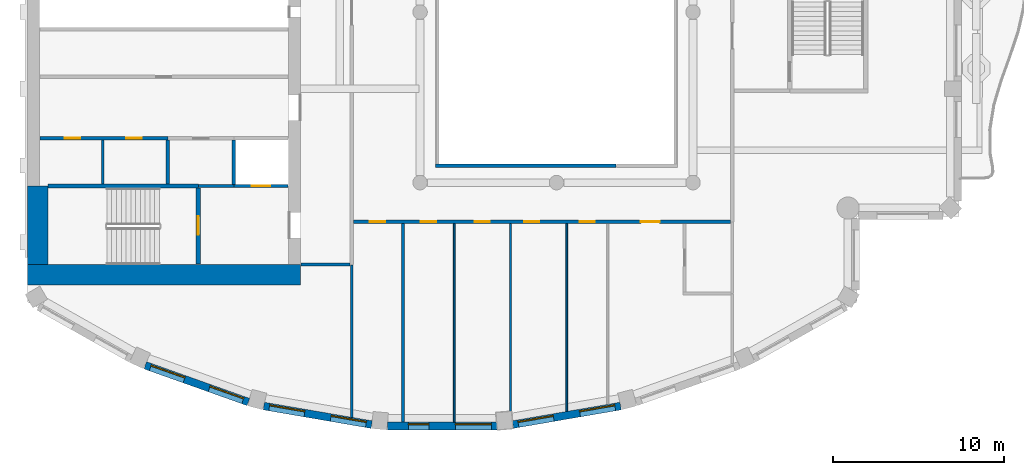
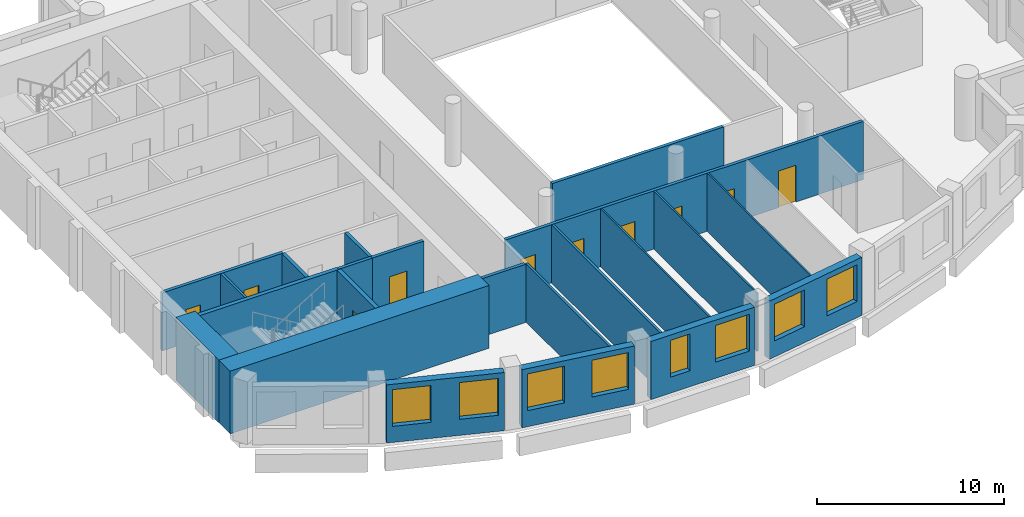
# One storey, part 4 of 14: 22 walls, 10 doors, 8 windows, 18 openings.
"""IFC4 building model written with IfcOpenShell, lengths in metres."""

from ifc_helpers import new_model, si_unit, direction, frame, frame_2d, origin, place, context, subcontext, project, spatial, rectangle, extrude, material, layer, layer_set, type_object, element, fill, save


model = new_model("IFC4")

# Units and contexts
model_context = context("Model", 3, precision=1e-05, world=origin(), true_north=direction((0.0, 1.0)))
body_context = subcontext(model_context, "Body", "Model", "MODEL_VIEW")
ifc_project = project(units=[si_unit("LENGTHUNIT", "METRE"), si_unit("AREAUNIT", "SQUARE_METRE"), si_unit("VOLUMEUNIT", "CUBIC_METRE"), si_unit("PLANEANGLEUNIT", "RADIAN"), si_unit("MASSUNIT", "GRAM", prefix="KILO")], contexts=[model_context])

# Site, building, storey
site_placement = place(None, origin())
site = spatial("IfcSite", under=ifc_project, at=site_placement, CompositionType="ELEMENT")
building_placement = place(site_placement, origin())
building = spatial("IfcBuilding", under=site, at=building_placement, Name="Cypress Arch Tower", CompositionType="ELEMENT")
storey_placement = place(building_placement, frame((0.0, 0.0, 304.89990234375)))
storey = spatial("IfcBuildingStorey", under=building, at=storey_placement, Name="L69", CompositionType="ELEMENT", Elevation=304.89990234375)

# Wall, openings, windows
ifc_material_1 = material(Name="Brick (red buff blend)", Category="masonry")
ifc_layer_1 = layer(ifc_material_1, 0.449951171875)
ifc_layer_set_1 = layer_set([ifc_layer_1], Name="Brick pier and spandrel wall BW450")
wall_type_1 = type_object("IfcWallType", Name="Brick pier and spandrel wall BW450", PredefinedType="SOLIDWALL", material=ifc_layer_set_1)
wall_1_placement = place(storey_placement, frame((-23.10498046875, -20.70947265625, 0.0), z_axis=(0.0, 0.0, 1.0), x_axis=(0.942104058931, -0.335320655711, 0.0)))
wall_1 = element("IfcWall", 1, at=wall_1_placement, inside=storey, type_object=wall_type_1, Name="Brick wall L69 C09.0", PredefinedType="SOLIDWALL", context=body_context, shape_type="SweptSolid", body=[
    extrude(rectangle(XDim=6.411376953125, YDim=0.449951171875, at=frame_2d((3.20556640625, 0.0))), origin(), (0.0, 0.0, 1.0), 3.800048828125),
])
opening_1_placement = place(wall_1_placement, frame((0.3271484375, 0.0, 1.050048828125)))
opening_1 = element("IfcOpeningElement", 2, at=opening_1_placement, cuts=wall_1, Name="Opening W210O", PredefinedType="OPENING", context=body_context, shape_type="SweptSolid", body=[
    extrude(rectangle(XDim=2.10009765625, YDim=2.39990234375, at=frame_2d((1.050048828125, 1.199951171875))), frame((0.0, 0.23486328125, 0.0), z_axis=(0.0, -1.0, 0.0), x_axis=(1.0, 0.0, 0.0)), (0.0, 0.0, 1.0), 0.469970703125),
])
opening_2_placement = place(wall_1_placement, frame((3.984619140625, 0.0, 1.050048828125)))
opening_2 = element("IfcOpeningElement", 3, at=opening_2_placement, cuts=wall_1, Name="Opening W210O", PredefinedType="OPENING", context=body_context, shape_type="SweptSolid", body=[
    extrude(rectangle(XDim=2.10009765625, YDim=2.39990234375, at=frame_2d((1.050048828125, 1.199951171875))), frame((0.0, 0.23486328125, 0.0), z_axis=(0.0, -1.0, 0.0), x_axis=(1.0, 0.0, 0.0)), (0.0, 0.0, 1.0), 0.469970703125),
])
ifc_material_2 = material(Name="Anodised aluminium, bronze finish, clear low-emissivity double glazing", Category="aluminium")
window_type_1 = type_object("IfcWindowType", Name="Window Office 2100x2400", PartitioningType="SINGLE_PANEL", PredefinedType="WINDOW", material=ifc_material_2)
window_1_placement = place(opening_1_placement, origin())
window_1 = element("IfcWindow", 4, at=window_1_placement, inside=storey, type_object=window_type_1, Name="Window L69 C09.0.1", OverallHeight=2.39990234375, OverallWidth=2.10009765625, PartitioningType="SINGLE_PANEL", PredefinedType="WINDOW", context=body_context, shape_type="SweptSolid", body=[
    extrude(rectangle(XDim=2.10009765625, YDim=2.39990234375, at=frame_2d((1.050048828125, 1.199951171875))), frame((0.0, 0.135009765625, 0.0), z_axis=(0.0, -1.0, 0.0), x_axis=(1.0, 0.0, 0.0)), (0.0, 0.0, 1.0), 0.06005859375),
])
fill(opening_1, window_1)
window_2_placement = place(opening_2_placement, origin())
window_2 = element("IfcWindow", 5, at=window_2_placement, inside=storey, type_object=window_type_1, Name="Window L69 C09.0.2", OverallHeight=2.39990234375, OverallWidth=2.10009765625, PartitioningType="SINGLE_PANEL", PredefinedType="WINDOW", context=body_context, shape_type="SweptSolid", body=[
    extrude(rectangle(XDim=2.10009765625, YDim=2.39990234375, at=frame_2d((1.050048828125, 1.199951171875))), frame((0.0, 0.135009765625, 0.0), z_axis=(0.0, -1.0, 0.0), x_axis=(1.0, 0.0, 0.0)), (0.0, 0.0, 1.0), 0.06005859375),
])
fill(opening_2, window_2)

wall_2_placement = place(storey_placement, frame((-16.15673828125, -23.09716796875, 0.0), z_axis=(0.0, 0.0, 1.0), x_axis=(0.985502073964, -0.169663379113, 0.0)))
wall_2 = element("IfcWall", 6, at=wall_2_placement, inside=storey, type_object=wall_type_1, Name="Brick wall L69 C10.0", PredefinedType="SOLIDWALL", context=body_context, shape_type="SweptSolid", body=[
    extrude(rectangle(XDim=6.412109375, YDim=0.449951171875, at=frame_2d((3.2060546875, 0.0))), origin(), (0.0, 0.0, 1.0), 3.800048828125),
])
opening_3_placement = place(wall_2_placement, frame((0.3271484375, 0.0, 1.050048828125)))
opening_3 = element("IfcOpeningElement", 7, at=opening_3_placement, cuts=wall_2, Name="Opening W210O", PredefinedType="OPENING", context=body_context, shape_type="SweptSolid", body=[
    extrude(rectangle(XDim=2.10009765625, YDim=2.39990234375, at=frame_2d((1.050048828125, 1.199951171875))), frame((0.0, 0.23486328125, 0.0), z_axis=(0.0, -1.0, 0.0), x_axis=(1.0, 0.0, 0.0)), (0.0, 0.0, 1.0), 0.469970703125),
])
opening_4_placement = place(wall_2_placement, frame((3.98486328125, 0.0, 1.050048828125)))
opening_4 = element("IfcOpeningElement", 8, at=opening_4_placement, cuts=wall_2, Name="Opening W210O", PredefinedType="OPENING", context=body_context, shape_type="SweptSolid", body=[
    extrude(rectangle(XDim=2.10009765625, YDim=2.39990234375, at=frame_2d((1.050048828125, 1.199951171875))), frame((0.0, 0.23486328125, 0.0), z_axis=(0.0, -1.0, 0.0), x_axis=(1.0, 0.0, 0.0)), (0.0, 0.0, 1.0), 0.469970703125),
])
window_3_placement = place(opening_3_placement, origin())
window_3 = element("IfcWindow", 9, at=window_3_placement, inside=storey, type_object=window_type_1, Name="Window L69 C10.0.1", OverallHeight=2.39990234375, OverallWidth=2.10009765625, PartitioningType="SINGLE_PANEL", PredefinedType="WINDOW", context=body_context, shape_type="SweptSolid", body=[
    extrude(rectangle(XDim=2.10009765625, YDim=2.39990234375, at=frame_2d((1.050048828125, 1.199951171875))), frame((0.0, 0.135009765625, 0.0), z_axis=(0.0, -1.0, 0.0), x_axis=(1.0, 0.0, 0.0)), (0.0, 0.0, 1.0), 0.06005859375),
])
fill(opening_3, window_3)
window_4_placement = place(opening_4_placement, origin())
window_4 = element("IfcWindow", 10, at=window_4_placement, inside=storey, type_object=window_type_1, Name="Window L69 C10.0.2", OverallHeight=2.39990234375, OverallWidth=2.10009765625, PartitioningType="SINGLE_PANEL", PredefinedType="WINDOW", context=body_context, shape_type="SweptSolid", body=[
    extrude(rectangle(XDim=2.10009765625, YDim=2.39990234375, at=frame_2d((1.050048828125, 1.199951171875))), frame((0.0, 0.135009765625, 0.0), z_axis=(0.0, -1.0, 0.0), x_axis=(1.0, 0.0, 0.0)), (0.0, 0.0, 1.0), 0.06005859375),
])
fill(opening_4, window_4)

wall_3_placement = place(storey_placement, frame((-8.90283203125, -24.264892578125, 0.0), z_axis=(0.0, 0.0, 1.0), x_axis=(1.0, 0.0, 0.0)))
wall_3 = element("IfcWall", 11, at=wall_3_placement, inside=storey, type_object=wall_type_1, Name="Brick wall L69 C11.0", PredefinedType="SOLIDWALL", context=body_context, shape_type="SweptSolid", body=[
    extrude(rectangle(XDim=6.405517578125, YDim=0.449951171875, at=frame_2d((3.20263671875, 0.0))), origin(), (0.0, 0.0, 1.0), 3.800048828125),
])
opening_5_placement = place(wall_3_placement, frame((3.97998046875, 0.0, 1.050048828125)))
opening_5 = element("IfcOpeningElement", 12, at=opening_5_placement, cuts=wall_3, Name="Opening W210O", PredefinedType="OPENING", context=body_context, shape_type="SweptSolid", body=[
    extrude(rectangle(XDim=2.10009765625, YDim=2.39990234375, at=frame_2d((1.050048828125, 1.199951171875))), frame((0.0, 0.23486328125, 0.0), z_axis=(0.0, -1.0, 0.0), x_axis=(1.0, 0.0, 0.0)), (0.0, 0.0, 1.0), 0.469970703125),
])
opening_6_placement = place(wall_3_placement, frame((1.214111328125, 0.0, 1.050048828125)))
opening_6 = element("IfcOpeningElement", 13, at=opening_6_placement, cuts=wall_3, Name="Opening W120O", PredefinedType="OPENING", context=body_context, shape_type="SweptSolid", body=[
    extrude(rectangle(XDim=1.199951171875, YDim=2.39990234375, at=frame_2d((0.60009765625, 1.199951171875))), frame((0.0, 0.23486328125, 0.0), z_axis=(0.0, -1.0, 0.0), x_axis=(1.0, 0.0, 0.0)), (0.0, 0.0, 1.0), 0.469970703125),
])
ifc_material_3 = material(Name="Anodised aluminium, bronze finish, clear low-emissivity double glazing", Category="aluminium")
window_type_2 = type_object("IfcWindowType", Name="Window Office 1200x2400", PartitioningType="SINGLE_PANEL", PredefinedType="WINDOW", material=ifc_material_3)
window_5_placement = place(opening_6_placement, origin())
window_5 = element("IfcWindow", 14, at=window_5_placement, inside=storey, type_object=window_type_2, Name="Window L69 C11.0.1", OverallHeight=2.39990234375, OverallWidth=1.199951171875, PartitioningType="SINGLE_PANEL", PredefinedType="WINDOW", context=body_context, shape_type="SweptSolid", body=[
    extrude(rectangle(XDim=1.199951171875, YDim=2.39990234375, at=frame_2d((0.60009765625, 1.199951171875))), frame((0.0, 0.135009765625, 0.0), z_axis=(0.0, -1.0, 0.0), x_axis=(1.0, 0.0, 0.0)), (0.0, 0.0, 1.0), 0.06005859375),
])
fill(opening_6, window_5)
window_6_placement = place(opening_5_placement, origin())
window_6 = element("IfcWindow", 15, at=window_6_placement, inside=storey, type_object=window_type_1, Name="Window L69 C11.0.2", OverallHeight=2.39990234375, OverallWidth=2.10009765625, PartitioningType="SINGLE_PANEL", PredefinedType="WINDOW", context=body_context, shape_type="SweptSolid", body=[
    extrude(rectangle(XDim=2.10009765625, YDim=2.39990234375, at=frame_2d((1.050048828125, 1.199951171875))), frame((0.0, 0.135009765625, 0.0), z_axis=(0.0, -1.0, 0.0), x_axis=(1.0, 0.0, 0.0)), (0.0, 0.0, 1.0), 0.06005859375),
])
fill(opening_5, window_6)

wall_4_placement = place(storey_placement, frame((-1.562255859375, -24.18505859375, 0.0), z_axis=(0.0, 0.0, 1.0), x_axis=(0.985502073964, 0.169663379113, 0.0)))
wall_4 = element("IfcWall", 16, at=wall_4_placement, inside=storey, type_object=wall_type_1, Name="Brick wall L69 C12.0", PredefinedType="SOLIDWALL", context=body_context, shape_type="SweptSolid", body=[
    extrude(rectangle(XDim=6.412109375, YDim=0.449951171875, at=frame_2d((3.2060546875, 0.0))), origin(), (0.0, 0.0, 1.0), 3.800048828125),
])
opening_7_placement = place(wall_4_placement, frame((0.3271484375, 0.0, 1.050048828125)))
opening_7 = element("IfcOpeningElement", 17, at=opening_7_placement, cuts=wall_4, Name="Opening W210O", PredefinedType="OPENING", context=body_context, shape_type="SweptSolid", body=[
    extrude(rectangle(XDim=2.10009765625, YDim=2.39990234375, at=frame_2d((1.050048828125, 1.199951171875))), frame((0.0, 0.23486328125, 0.0), z_axis=(0.0, -1.0, 0.0), x_axis=(1.0, 0.0, 0.0)), (0.0, 0.0, 1.0), 0.469970703125),
])
opening_8_placement = place(wall_4_placement, frame((3.98486328125, 0.0, 1.050048828125)))
opening_8 = element("IfcOpeningElement", 18, at=opening_8_placement, cuts=wall_4, Name="Opening W210O", PredefinedType="OPENING", context=body_context, shape_type="SweptSolid", body=[
    extrude(rectangle(XDim=2.10009765625, YDim=2.39990234375, at=frame_2d((1.050048828125, 1.199951171875))), frame((0.0, 0.23486328125, 0.0), z_axis=(0.0, -1.0, 0.0), x_axis=(1.0, 0.0, 0.0)), (0.0, 0.0, 1.0), 0.469970703125),
])
window_7_placement = place(opening_7_placement, origin())
window_7 = element("IfcWindow", 19, at=window_7_placement, inside=storey, type_object=window_type_1, Name="Window L69 C12.0.1", OverallHeight=2.39990234375, OverallWidth=2.10009765625, PartitioningType="SINGLE_PANEL", PredefinedType="WINDOW", context=body_context, shape_type="SweptSolid", body=[
    extrude(rectangle(XDim=2.10009765625, YDim=2.39990234375, at=frame_2d((1.050048828125, 1.199951171875))), frame((0.0, 0.135009765625, 0.0), z_axis=(0.0, -1.0, 0.0), x_axis=(1.0, 0.0, 0.0)), (0.0, 0.0, 1.0), 0.06005859375),
])
fill(opening_7, window_7)
window_8_placement = place(opening_8_placement, origin())
window_8 = element("IfcWindow", 20, at=window_8_placement, inside=storey, type_object=window_type_1, Name="Window L69 C12.0.2", OverallHeight=2.39990234375, OverallWidth=2.10009765625, PartitioningType="SINGLE_PANEL", PredefinedType="WINDOW", context=body_context, shape_type="SweptSolid", body=[
    extrude(rectangle(XDim=2.10009765625, YDim=2.39990234375, at=frame_2d((1.050048828125, 1.199951171875))), frame((0.0, 0.135009765625, 0.0), z_axis=(0.0, -1.0, 0.0), x_axis=(1.0, 0.0, 0.0)), (0.0, 0.0, 1.0), 0.06005859375),
])
fill(opening_8, window_8)

# Walls
ifc_material_4 = material(Name="Concrete C60/75", Category="concrete")
ifc_layer_2 = layer(ifc_material_4, 1.199951171875)
ifc_layer_set_2 = layer_set([ifc_layer_2], Name="Core wall CW1200 C60/75")
wall_type_2 = type_object("IfcWallType", Name="Core wall CW1200 C60/75", PredefinedType="SHEAR", material=ifc_layer_set_2)
wall_5_placement = place(storey_placement, frame((-30.0, -15.39990234375, 0.0), z_axis=(0.0, 0.0, 1.0), x_axis=(1.0, 0.0, 0.0)))
element("IfcWall", 21, at=wall_5_placement, inside=storey, type_object=wall_type_2, Name="Core wall", PredefinedType="SHEAR", context=body_context, shape_type="SweptSolid", body=[
    extrude(rectangle(XDim=16.0, YDim=1.199951171875, at=frame_2d((8.0, 0.0))), origin(), (0.0, 0.0, 1.0), 4.10009765625),
])
wall_6_placement = place(storey_placement, frame((-29.39990234375, -14.800048828125, 0.0), z_axis=(0.0, 0.0, 1.0), x_axis=(0.0, 1.0, 0.0)))
element("IfcWall", 22, at=wall_6_placement, inside=storey, type_object=wall_type_2, Name="Core wall", PredefinedType="SHEAR", context=body_context, shape_type="SweptSolid", body=[
    extrude(rectangle(XDim=4.60009765625, YDim=1.199951171875, at=frame_2d((2.300048828125, 0.0))), origin(), (0.0, 0.0, 1.0), 4.10009765625),
])

# Wall, openings, doors
ifc_material_5 = material(Name="Concrete blockwork, plastered, rated", Category="masonry")
ifc_layer_3 = layer(ifc_material_5, 0.199951171875)
ifc_layer_set_3 = layer_set([ifc_layer_3], Name="Corridor wall FW200")
wall_type_3 = type_object("IfcWallType", Name="Corridor wall FW200", PredefinedType="PARTITIONING", material=ifc_layer_set_3)
wall_7_placement = place(storey_placement, frame((-29.27001953125, -7.39990234375, 0.0), z_axis=(0.0, 0.0, 1.0), x_axis=(1.0, 0.0, 0.0)))
wall_7 = element("IfcWall", 23, at=wall_7_placement, inside=storey, type_object=wall_type_3, Name="Corridor wall", PredefinedType="PARTITIONING", context=body_context, shape_type="SweptSolid", body=[
    extrude(rectangle(XDim=7.489990234375, YDim=0.199951171875, at=frame_2d((3.7451171875, 0.0))), origin(), (0.0, 0.0, 1.0), 3.800048828125),
])
opening_9_placement = place(wall_7_placement, frame((1.449951171875, 0.0, 0.0)))
opening_9 = element("IfcOpeningElement", 24, at=opening_9_placement, cuts=wall_7, Name="Opening D05", PredefinedType="OPENING", context=body_context, shape_type="SweptSolid", body=[
    extrude(rectangle(XDim=0.89990234375, YDim=2.199951171875, at=frame_2d((0.449951171875, 1.10009765625))), frame((0.0, 0.10986328125, 0.0), z_axis=(0.0, -1.0, 0.0), x_axis=(1.0, 0.0, 0.0)), (0.0, 0.0, 1.0), 0.219970703125),
])
opening_10_placement = place(wall_7_placement, frame((5.050048828125, 0.0, 0.0)))
opening_10 = element("IfcOpeningElement", 25, at=opening_10_placement, cuts=wall_7, Name="Opening D05", PredefinedType="OPENING", context=body_context, shape_type="SweptSolid", body=[
    extrude(rectangle(XDim=0.89990234375, YDim=2.199951171875, at=frame_2d((0.449951171875, 1.10009765625))), frame((0.0, 0.10986328125, 0.0), z_axis=(0.0, -1.0, 0.0), x_axis=(1.0, 0.0, 0.0)), (0.0, 0.0, 1.0), 0.219970703125),
])
ifc_material_6 = material(Name="Timber flush door", Category="wood")
door_type_1 = type_object("IfcDoorType", Name="Service door D05 900x2200", OperationType="SINGLE_SWING_LEFT", PredefinedType="DOOR", material=ifc_material_6)
door_1_placement = place(opening_9_placement, origin())
door_1 = element("IfcDoor", 26, at=door_1_placement, inside=storey, type_object=door_type_1, Name="Service door", OperationType="SINGLE_SWING_LEFT", OverallHeight=2.199951171875, OverallWidth=0.89990234375, PredefinedType="DOOR", context=body_context, shape_type="SweptSolid", body=[
    extrude(rectangle(XDim=0.89990234375, YDim=2.199951171875, at=frame_2d((0.449951171875, 1.10009765625))), frame((0.0, 0.02490234375, 0.0), z_axis=(0.0, -1.0, 0.0), x_axis=(1.0, 0.0, 0.0)), (0.0, 0.0, 1.0), 0.050048828125),
])
fill(opening_9, door_1)
door_2_placement = place(opening_10_placement, origin())
door_2 = element("IfcDoor", 27, at=door_2_placement, inside=storey, type_object=door_type_1, Name="Service door", OperationType="SINGLE_SWING_RIGHT", OverallHeight=2.199951171875, OverallWidth=0.89990234375, PredefinedType="DOOR", context=body_context, shape_type="SweptSolid", body=[
    extrude(rectangle(XDim=0.89990234375, YDim=2.199951171875, at=frame_2d((0.449951171875, 1.10009765625))), frame((0.0, 0.02490234375, 0.0), z_axis=(0.0, -1.0, 0.0), x_axis=(1.0, 0.0, 0.0)), (0.0, 0.0, 1.0), 0.050048828125),
])
fill(opening_10, door_2)

# Wall
wall_8_placement = place(storey_placement, frame((-13.969970703125, -14.800048828125, 0.0), z_axis=(0.0, 0.0, 1.0), x_axis=(1.0, 0.0, 0.0)))
element("IfcWall", 28, at=wall_8_placement, inside=storey, type_object=wall_type_3, Name="Corridor wall", PredefinedType="PARTITIONING", context=body_context, shape_type="SweptSolid", body=[
    extrude(rectangle(XDim=2.869873046875, YDim=0.199951171875, at=frame_2d((1.43505859375, 0.0))), origin(), (0.0, 0.0, 1.0), 3.800048828125),
])

# Wall, openings, doors
wall_9_placement = place(storey_placement, frame((-10.89990234375, -12.300048828125, 0.0), z_axis=(0.0, 0.0, 1.0), x_axis=(1.0, 0.0, 0.0)))
wall_9 = element("IfcWall", 29, at=wall_9_placement, inside=storey, type_object=wall_type_3, Name="Corridor wall", PredefinedType="PARTITIONING", context=body_context, shape_type="SweptSolid", body=[
    extrude(rectangle(XDim=22.099853515625, YDim=0.199951171875, at=frame_2d((11.0498046875, 0.0))), origin(), (0.0, 0.0, 1.0), 3.800048828125),
])
opening_11_placement = place(wall_9_placement, frame((0.949951171875, 0.0, 0.0)))
opening_11 = element("IfcOpeningElement", 30, at=opening_11_placement, cuts=wall_9, Name="Opening D05", PredefinedType="OPENING", context=body_context, shape_type="SweptSolid", body=[
    extrude(rectangle(XDim=0.89990234375, YDim=2.199951171875, at=frame_2d((0.449951171875, 1.10009765625))), frame((0.0, 0.10986328125, 0.0), z_axis=(0.0, -1.0, 0.0), x_axis=(1.0, 0.0, 0.0)), (0.0, 0.0, 1.0), 0.219970703125),
])
opening_12_placement = place(wall_9_placement, frame((3.949951171875, 0.0, 0.0)))
opening_12 = element("IfcOpeningElement", 31, at=opening_12_placement, cuts=wall_9, Name="Opening D05", PredefinedType="OPENING", context=body_context, shape_type="SweptSolid", body=[
    extrude(rectangle(XDim=0.89990234375, YDim=2.199951171875, at=frame_2d((0.449951171875, 1.10009765625))), frame((0.0, 0.10986328125, 0.0), z_axis=(0.0, -1.0, 0.0), x_axis=(1.0, 0.0, 0.0)), (0.0, 0.0, 1.0), 0.219970703125),
])
opening_13_placement = place(wall_9_placement, frame((7.10009765625, 0.0, 0.0)))
opening_13 = element("IfcOpeningElement", 32, at=opening_13_placement, cuts=wall_9, Name="Opening D03", PredefinedType="OPENING", context=body_context, shape_type="SweptSolid", body=[
    extrude(rectangle(XDim=0.89990234375, YDim=2.199951171875, at=frame_2d((0.449951171875, 1.10009765625))), frame((0.0, 0.10986328125, 0.0), z_axis=(0.0, -1.0, 0.0), x_axis=(1.0, 0.0, 0.0)), (0.0, 0.0, 1.0), 0.219970703125),
])
opening_14_placement = place(wall_9_placement, frame((10.0, 0.0, 0.0)))
opening_14 = element("IfcOpeningElement", 33, at=opening_14_placement, cuts=wall_9, Name="Opening D03", PredefinedType="OPENING", context=body_context, shape_type="SweptSolid", body=[
    extrude(rectangle(XDim=0.89990234375, YDim=2.199951171875, at=frame_2d((0.449951171875, 1.10009765625))), frame((0.0, 0.10986328125, 0.0), z_axis=(0.0, -1.0, 0.0), x_axis=(1.0, 0.0, 0.0)), (0.0, 0.0, 1.0), 0.219970703125),
])
opening_15_placement = place(wall_9_placement, frame((13.25, 0.0, 0.0)))
opening_15 = element("IfcOpeningElement", 34, at=opening_15_placement, cuts=wall_9, Name="Opening D03", PredefinedType="OPENING", context=body_context, shape_type="SweptSolid", body=[
    extrude(rectangle(XDim=0.89990234375, YDim=2.199951171875, at=frame_2d((0.449951171875, 1.10009765625))), frame((0.0, 0.10986328125, 0.0), z_axis=(0.0, -1.0, 0.0), x_axis=(1.0, 0.0, 0.0)), (0.0, 0.0, 1.0), 0.219970703125),
])
opening_16_placement = place(wall_9_placement, frame((16.85009765625, 0.0, 0.0)))
opening_16 = element("IfcOpeningElement", 35, at=opening_16_placement, cuts=wall_9, Name="Opening D01", PredefinedType="OPENING", context=body_context, shape_type="SweptSolid", body=[
    extrude(rectangle(XDim=1.10009765625, YDim=2.39990234375, at=frame_2d((0.550048828125, 1.199951171875))), frame((0.0, 0.10986328125, 0.0), z_axis=(0.0, -1.0, 0.0), x_axis=(1.0, 0.0, 0.0)), (0.0, 0.0, 1.0), 0.219970703125),
])
ifc_material_7 = material(Name="Timber flush door, moisture resistant", Category="wood")
door_type_2 = type_object("IfcDoorType", Name="Bathroom door D03 900x2200", OperationType="SINGLE_SWING_LEFT", PredefinedType="DOOR", material=ifc_material_7)
door_3_placement = place(opening_13_placement, origin())
door_3 = element("IfcDoor", 36, at=door_3_placement, inside=storey, type_object=door_type_2, Name="Bathroom door", OperationType="SINGLE_SWING_RIGHT", OverallHeight=2.199951171875, OverallWidth=0.89990234375, PredefinedType="DOOR", context=body_context, shape_type="SweptSolid", body=[
    extrude(rectangle(XDim=0.89990234375, YDim=2.199951171875, at=frame_2d((0.449951171875, 1.10009765625))), frame((0.0, 0.02490234375, 0.0), z_axis=(0.0, -1.0, 0.0), x_axis=(1.0, 0.0, 0.0)), (0.0, 0.0, 1.0), 0.050048828125),
])
fill(opening_13, door_3)
door_4_placement = place(opening_14_placement, origin())
door_4 = element("IfcDoor", 37, at=door_4_placement, inside=storey, type_object=door_type_2, Name="Bathroom door", OperationType="SINGLE_SWING_RIGHT", OverallHeight=2.199951171875, OverallWidth=0.89990234375, PredefinedType="DOOR", context=body_context, shape_type="SweptSolid", body=[
    extrude(rectangle(XDim=0.89990234375, YDim=2.199951171875, at=frame_2d((0.449951171875, 1.10009765625))), frame((0.0, 0.02490234375, 0.0), z_axis=(0.0, -1.0, 0.0), x_axis=(1.0, 0.0, 0.0)), (0.0, 0.0, 1.0), 0.050048828125),
])
fill(opening_14, door_4)
door_5_placement = place(opening_15_placement, origin())
door_5 = element("IfcDoor", 38, at=door_5_placement, inside=storey, type_object=door_type_2, Name="Bathroom door", OperationType="SINGLE_SWING_RIGHT", OverallHeight=2.199951171875, OverallWidth=0.89990234375, PredefinedType="DOOR", context=body_context, shape_type="SweptSolid", body=[
    extrude(rectangle(XDim=0.89990234375, YDim=2.199951171875, at=frame_2d((0.449951171875, 1.10009765625))), frame((0.0, 0.02490234375, 0.0), z_axis=(0.0, -1.0, 0.0), x_axis=(1.0, 0.0, 0.0)), (0.0, 0.0, 1.0), 0.050048828125),
])
fill(opening_15, door_5)
door_6_placement = place(opening_11_placement, origin())
door_6 = element("IfcDoor", 39, at=door_6_placement, inside=storey, type_object=door_type_1, Name="Service door", OperationType="SINGLE_SWING_RIGHT", OverallHeight=2.199951171875, OverallWidth=0.89990234375, PredefinedType="DOOR", context=body_context, shape_type="SweptSolid", body=[
    extrude(rectangle(XDim=0.89990234375, YDim=2.199951171875, at=frame_2d((0.449951171875, 1.10009765625))), frame((0.0, 0.02490234375, 0.0), z_axis=(0.0, -1.0, 0.0), x_axis=(1.0, 0.0, 0.0)), (0.0, 0.0, 1.0), 0.050048828125),
])
fill(opening_11, door_6)
door_7_placement = place(opening_12_placement, origin())
door_7 = element("IfcDoor", 40, at=door_7_placement, inside=storey, type_object=door_type_1, Name="Service door", OperationType="SINGLE_SWING_RIGHT", OverallHeight=2.199951171875, OverallWidth=0.89990234375, PredefinedType="DOOR", context=body_context, shape_type="SweptSolid", body=[
    extrude(rectangle(XDim=0.89990234375, YDim=2.199951171875, at=frame_2d((0.449951171875, 1.10009765625))), frame((0.0, 0.02490234375, 0.0), z_axis=(0.0, -1.0, 0.0), x_axis=(1.0, 0.0, 0.0)), (0.0, 0.0, 1.0), 0.050048828125),
])
fill(opening_12, door_7)
ifc_material_8 = material(Name="Timber flush door, fire resisting, self-closing", Category="wood")
door_type_3 = type_object("IfcDoorType", Name="Unit entrance door D01 1100x2400", OperationType="SINGLE_SWING_LEFT", PredefinedType="DOOR", material=ifc_material_8)
door_8_placement = place(opening_16_placement, origin())
door_8 = element("IfcDoor", 41, at=door_8_placement, inside=storey, type_object=door_type_3, Name="Unit entrance door", OperationType="SINGLE_SWING_LEFT", OverallHeight=2.39990234375, OverallWidth=1.10009765625, PredefinedType="DOOR", context=body_context, shape_type="SweptSolid", body=[
    extrude(rectangle(XDim=1.10009765625, YDim=2.39990234375, at=frame_2d((0.550048828125, 1.199951171875))), frame((0.0, 0.02490234375, 0.0), z_axis=(0.0, -1.0, 0.0), x_axis=(1.0, 0.0, 0.0)), (0.0, 0.0, 1.0), 0.050048828125),
])
fill(opening_16, door_8)

# Walls
wall_10_placement = place(storey_placement, frame((-6.10009765625, -9.0, 0.0), z_axis=(0.0, 0.0, 1.0), x_axis=(1.0, 0.0, 0.0)))
element("IfcWall", 42, at=wall_10_placement, inside=storey, type_object=wall_type_3, Name="Corridor wall", PredefinedType="PARTITIONING", context=body_context, shape_type="SweptSolid", body=[
    extrude(rectangle(XDim=10.580078125, YDim=0.199951171875, at=frame_2d((5.2900390625, 0.0))), origin(), (0.0, 0.0, 1.0), 3.800048828125),
])
ifc_material_9 = material(Name="Blockwork, plastered both sides", Category="masonry")
ifc_layer_4 = layer(ifc_material_9, 0.14990234375)
ifc_layer_set_4 = layer_set([ifc_layer_4], Name="Partition PW150")
wall_type_4 = type_object("IfcWallType", Name="Partition PW150", PredefinedType="PARTITIONING", material=ifc_layer_set_4)
wall_11_placement = place(storey_placement, frame((-25.60009765625, -10.074951171875, 0.0), z_axis=(0.0, 0.0, 1.0), x_axis=(0.0, 1.0, 0.0)))
element("IfcWall", 43, at=wall_11_placement, inside=storey, type_object=wall_type_4, Name="Partition", PredefinedType="PARTITIONING", context=body_context, shape_type="SweptSolid", body=[
    extrude(rectangle(XDim=2.574951171875, YDim=0.14990234375, at=frame_2d((1.28759765625, 0.0))), origin(), (0.0, 0.0, 1.0), 3.800048828125),
])
wall_12_placement = place(storey_placement, frame((-11.0, -23.756591796875, 0.0), z_axis=(0.0, 0.0, 1.0), x_axis=(0.0, 1.0, 0.0)))
element("IfcWall", 44, at=wall_12_placement, inside=storey, type_object=wall_type_4, Name="Partition", PredefinedType="PARTITIONING", context=body_context, shape_type="SweptSolid", body=[
    extrude(rectangle(XDim=8.9365234375, YDim=0.14990234375, at=frame_2d((4.46826171875, 0.0))), origin(), (0.0, 0.0, 1.0), 3.800048828125),
])
wall_13_placement = place(storey_placement, frame((-8.0, -24.0400390625, 0.0), z_axis=(0.0, 0.0, 1.0), x_axis=(0.0, 1.0, 0.0)))
element("IfcWall", 45, at=wall_13_placement, inside=storey, type_object=wall_type_4, Name="Partition", PredefinedType="PARTITIONING", context=body_context, shape_type="SweptSolid", body=[
    extrude(rectangle(XDim=11.64013671875, YDim=0.14990234375, at=frame_2d((5.820068359375, 0.0))), origin(), (0.0, 0.0, 1.0), 3.800048828125),
])
ifc_material_10 = material(Name="Reinforced blockwork, plastered, rated", Category="masonry")
ifc_layer_5 = layer(ifc_material_10, 0.199951171875)
ifc_layer_set_5 = layer_set([ifc_layer_5], Name="Plant and riser wall PL200")
wall_type_5 = type_object("IfcWallType", Name="Plant and riser wall PL200", PredefinedType="PARTITIONING", material=ifc_layer_set_5)
wall_14_placement = place(storey_placement, frame((-21.800048828125, -10.074951171875, 0.0), z_axis=(0.0, 0.0, 1.0), x_axis=(0.0, 1.0, 0.0)))
element("IfcWall", 46, at=wall_14_placement, inside=storey, type_object=wall_type_5, Name="Plant and riser wall", PredefinedType="PARTITIONING", context=body_context, shape_type="SweptSolid", body=[
    extrude(rectangle(XDim=2.574951171875, YDim=0.199951171875, at=frame_2d((1.28759765625, 0.0))), origin(), (0.0, 0.0, 1.0), 3.800048828125),
])
wall_15_placement = place(storey_placement, frame((-20.0, -10.199951171875, 0.0), z_axis=(0.0, 0.0, 1.0), x_axis=(1.0, 0.0, 0.0)))
element("IfcWall", 47, at=wall_15_placement, inside=storey, type_object=wall_type_5, Name="Plant and riser wall", PredefinedType="PARTITIONING", context=body_context, shape_type="SweptSolid", body=[
    extrude(rectangle(XDim=2.080078125, YDim=0.199951171875, at=frame_2d((1.0400390625, 0.0))), origin(), (0.0, 0.0, 1.0), 3.800048828125),
])
ifc_material_11 = material(Name="Concrete C50/60", Category="concrete")
ifc_layer_6 = layer(ifc_material_11, 0.199951171875)
ifc_layer_set_6 = layer_set([ifc_layer_6], Name="Shaft wall SH200")
wall_type_6 = type_object("IfcWallType", Name="Shaft wall SH200", PredefinedType="SHEAR", material=ifc_layer_set_6)
wall_16_placement = place(storey_placement, frame((-17.919921875, -10.10009765625, 0.0), z_axis=(0.0, 0.0, 1.0), x_axis=(0.0, 1.0, 0.0)))
element("IfcWall", 48, at=wall_16_placement, inside=storey, type_object=wall_type_6, Name="Shaft wall", PredefinedType="SHEAR", context=body_context, shape_type="SweptSolid", body=[
    extrude(rectangle(XDim=2.60009765625, YDim=0.199951171875, at=frame_2d((1.300048828125, 0.0))), origin(), (0.0, 0.0, 1.0), 3.800048828125),
])

# Wall, opening, door
wall_17_placement = place(storey_placement, frame((-17.919921875, -10.199951171875, 0.0), z_axis=(0.0, 0.0, 1.0), x_axis=(1.0, 0.0, 0.0)))
wall_17 = element("IfcWall", 49, at=wall_17_placement, inside=storey, type_object=wall_type_6, Name="Shaft wall", PredefinedType="SHEAR", context=body_context, shape_type="SweptSolid", body=[
    extrude(rectangle(XDim=3.18994140625, YDim=0.199951171875, at=frame_2d((1.594970703125, 0.0))), origin(), (0.0, 0.0, 1.0), 3.800048828125),
])
opening_17_placement = place(wall_17_placement, frame((1.050048828125, 0.0, 0.0)))
opening_17 = element("IfcOpeningElement", 50, at=opening_17_placement, cuts=wall_17, Name="Opening LD-FL1", PredefinedType="OPENING", context=body_context, shape_type="SweptSolid", body=[
    extrude(rectangle(XDim=1.10009765625, YDim=2.199951171875, at=frame_2d((0.550048828125, 1.10009765625))), frame((0.0, 0.10986328125, 0.0), z_axis=(0.0, -1.0, 0.0), x_axis=(1.0, 0.0, 0.0)), (0.0, 0.0, 1.0), 0.219970703125),
])
ifc_material_12 = material(Name="Stainless steel centre-opening landing door, rated", Category="steel")
door_type_4 = type_object("IfcDoorType", Name="Lift landing door LD 1100x2200", OperationType="DOUBLE_DOOR_SLIDING", PredefinedType="DOOR", material=ifc_material_12)
door_9_placement = place(opening_17_placement, origin())
door_9 = element("IfcDoor", 51, at=door_9_placement, inside=storey, type_object=door_type_4, Name="Lift landing doors FL1", OperationType="DOUBLE_DOOR_SLIDING", OverallHeight=2.199951171875, OverallWidth=1.10009765625, PredefinedType="DOOR", context=body_context, shape_type="SweptSolid", body=[
    extrude(rectangle(XDim=1.10009765625, YDim=2.199951171875, at=frame_2d((0.550048828125, 1.10009765625))), frame((0.0, 0.02490234375, 0.0), z_axis=(0.0, -1.0, 0.0), x_axis=(1.0, 0.0, 0.0)), (0.0, 0.0, 1.0), 0.050048828125),
])
fill(opening_17, door_9)

# Wall
ifc_material_13 = material(Name="Concrete C50/60", Category="concrete")
ifc_layer_7 = layer(ifc_material_13, 0.25)
ifc_layer_set_7 = layer_set([ifc_layer_7], Name="Stair enclosure wall SW250")
wall_type_7 = type_object("IfcWallType", Name="Stair enclosure wall SW250", PredefinedType="SHEAR", material=ifc_layer_set_7)
wall_18_placement = place(storey_placement, frame((-28.81005859375, -10.199951171875, 0.0), z_axis=(0.0, 0.0, 1.0), x_axis=(1.0, 0.0, 0.0)))
element("IfcWall", 52, at=wall_18_placement, inside=storey, type_object=wall_type_7, Name="Stair enclosure wall", PredefinedType="SHEAR", context=body_context, shape_type="SweptSolid", body=[
    extrude(rectangle(XDim=8.81005859375, YDim=0.25, at=frame_2d((4.405029296875, 0.0))), origin(), (0.0, 0.0, 1.0), 3.800048828125),
])

# Wall, opening, door
wall_19_placement = place(storey_placement, frame((-20.0, -14.77001953125, 0.0), z_axis=(0.0, 0.0, 1.0), x_axis=(0.0, 1.0, 0.0)))
wall_19 = element("IfcWall", 53, at=wall_19_placement, inside=storey, type_object=wall_type_7, Name="Stair enclosure wall", PredefinedType="SHEAR", context=body_context, shape_type="SweptSolid", body=[
    extrude(rectangle(XDim=4.445068359375, YDim=0.25, at=frame_2d((2.22265625, 0.0))), origin(), (0.0, 0.0, 1.0), 3.800048828125),
])
opening_18_placement = place(wall_19_placement, frame((1.699951171875, 0.0, 0.0)))
opening_18 = element("IfcOpeningElement", 54, at=opening_18_placement, cuts=wall_19, Name="Opening D06", PredefinedType="OPENING", context=body_context, shape_type="SweptSolid", body=[
    extrude(rectangle(XDim=1.10009765625, YDim=2.199951171875, at=frame_2d((0.550048828125, 1.10009765625))), frame((0.0, 0.135009765625, 0.0), z_axis=(0.0, -1.0, 0.0), x_axis=(1.0, 0.0, 0.0)), (0.0, 0.0, 1.0), 0.27001953125),
])
ifc_material_14 = material(Name="Steel door, fire resisting, panic bar", Category="steel")
door_type_5 = type_object("IfcDoorType", Name="Stair door D06 1100x2200", OperationType="SINGLE_SWING_LEFT", PredefinedType="DOOR", material=ifc_material_14)
door_10_placement = place(opening_18_placement, origin())
door_10 = element("IfcDoor", 55, at=door_10_placement, inside=storey, type_object=door_type_5, Name="Stair door", OperationType="SINGLE_SWING_RIGHT", OverallHeight=2.199951171875, OverallWidth=1.10009765625, PredefinedType="DOOR", context=body_context, shape_type="SweptSolid", body=[
    extrude(rectangle(XDim=1.10009765625, YDim=2.199951171875, at=frame_2d((0.550048828125, 1.10009765625))), frame((0.0, 0.02490234375, 0.0), z_axis=(0.0, -1.0, 0.0), x_axis=(1.0, 0.0, 0.0)), (0.0, 0.0, 1.0), 0.050048828125),
])
fill(opening_18, door_10)

# Walls
ifc_material_15 = material(Name="Moisture resistant board on steel studs, tiled", Category="steel")
ifc_layer_8 = layer(ifc_material_15, 0.10009765625)
ifc_layer_set_8 = layer_set([ifc_layer_8], Name="Wet wall PW100")
wall_type_8 = type_object("IfcWallType", Name="Wet wall PW100", PredefinedType="PARTITIONING", material=ifc_layer_set_8)
wall_20_placement = place(storey_placement, frame((-5.0, -24.0400390625, 0.0), z_axis=(0.0, 0.0, 1.0), x_axis=(0.0, 1.0, 0.0)))
element("IfcWall", 56, at=wall_20_placement, inside=storey, type_object=wall_type_8, Name="Wet wall", PredefinedType="PARTITIONING", context=body_context, shape_type="SweptSolid", body=[
    extrude(rectangle(XDim=11.64013671875, YDim=0.10009765625, at=frame_2d((5.820068359375, 0.0))), origin(), (0.0, 0.0, 1.0), 3.800048828125),
])
wall_21_placement = place(storey_placement, frame((-1.698974609375, -23.42138671875, 0.0), z_axis=(0.0, 0.0, 1.0), x_axis=(0.0, 1.0, 0.0)))
element("IfcWall", 57, at=wall_21_placement, inside=storey, type_object=wall_type_8, Name="Wet wall", PredefinedType="PARTITIONING", context=body_context, shape_type="SweptSolid", body=[
    extrude(rectangle(XDim=11.021484375, YDim=0.10009765625, at=frame_2d((5.5107421875, 0.0))), origin(), (0.0, 0.0, 1.0), 3.800048828125),
])
wall_22_placement = place(storey_placement, frame((1.60107421875, -23.412109375, 0.0), z_axis=(0.0, 0.0, 1.0), x_axis=(0.0, 1.0, 0.0)))
element("IfcWall", 58, at=wall_22_placement, inside=storey, type_object=wall_type_8, Name="Wet wall", PredefinedType="PARTITIONING", context=body_context, shape_type="SweptSolid", body=[
    extrude(rectangle(XDim=11.01220703125, YDim=0.10009765625, at=frame_2d((5.506103515625, 0.0))), origin(), (0.0, 0.0, 1.0), 3.800048828125),
])

save(model, "model.ifc")
